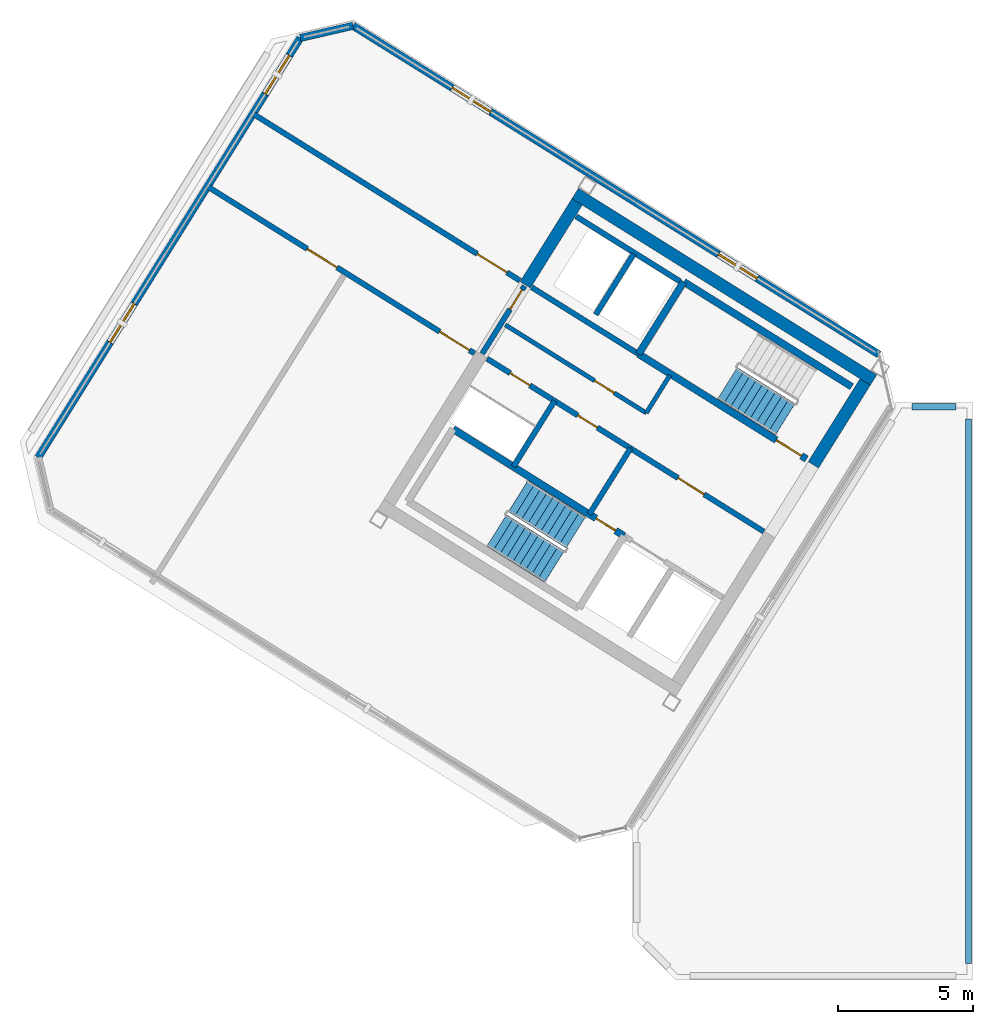
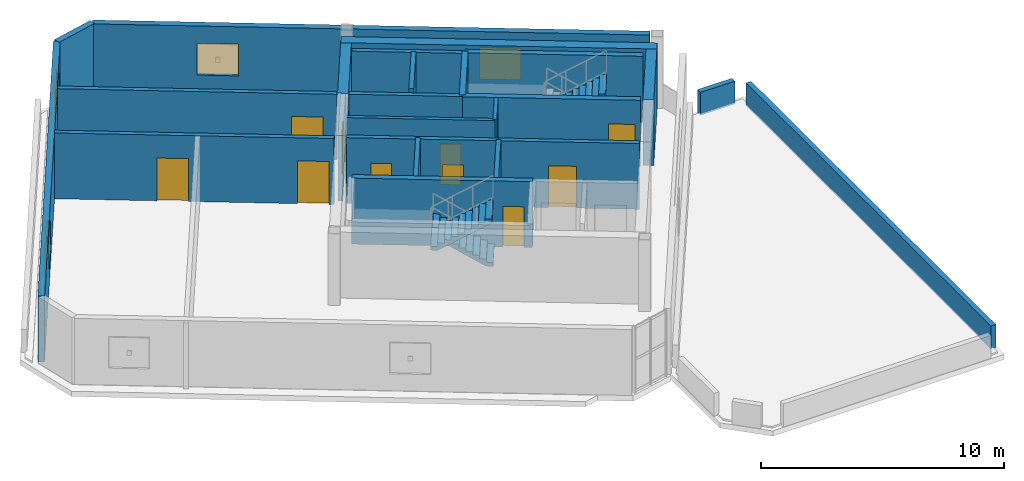
# One storey, part 4 of 8: 24 walls, 10 doors, 4 windows, 3 stair flights, 14 openings, 2 elements without a shape of their own.
"""IFC4 building model written with IfcOpenShell, lengths in metres."""

from ifc_helpers import new_model, si_unit, direction, frame, frame_2d, origin, place, context, subcontext, project, spatial, polyline, rectangle, outline, extrude, source, transform, mapped, material, layer, layer_set, type_object, element, fill, aggregate, save


model = new_model("IFC4")

# Units and contexts
model_context = context("Model", 3, precision=1e-05, world=origin(), true_north=direction((0.0, 1.0)))
body_context = subcontext(model_context, "Body", "Model", "MODEL_VIEW")
ifc_project = project(units=[si_unit("LENGTHUNIT", "METRE"), si_unit("AREAUNIT", "SQUARE_METRE"), si_unit("VOLUMEUNIT", "CUBIC_METRE"), si_unit("PLANEANGLEUNIT", "RADIAN"), si_unit("MASSUNIT", "GRAM", prefix="KILO")], contexts=[model_context])

# Site, building, storey
site_placement = place(None, origin())
site = spatial("IfcSite", under=ifc_project, at=site_placement, CompositionType="ELEMENT")
building_placement = place(site_placement, origin())
building = spatial("IfcBuilding", under=site, at=building_placement, Name="Tlacorven Tower", CompositionType="ELEMENT")
storey_placement = place(building_placement, frame((0.0, 0.0, 298.800048828125)))
storey = spatial("IfcBuildingStorey", under=building, at=storey_placement, Name="L76", CompositionType="ELEMENT", Elevation=298.800048828125)

# Walls
ifc_material_1 = material(Name="Concrete C50/60", Category="concrete")
ifc_layer_1 = layer(ifc_material_1, 0.449951171875)
ifc_layer_set_1 = layer_set([ifc_layer_1], Name="Concrete C50/60")
wall_type_1 = type_object("IfcWallType", Name="WL-COR-450", PredefinedType="SHEAR", material=ifc_layer_set_1)
wall_1_placement = place(storey_placement, frame((40.53076171875, 24.036376953125, 0.0), z_axis=(0.0, 0.0, 1.0), x_axis=(-0.848048787466, 0.529918157905, 0.0)))
element("IfcWall", 1, at=wall_1_placement, inside=storey, type_object=wall_type_1, Name="L76 W core shear wall S1", PredefinedType="SHEAR", context=body_context, shape_type="SweptSolid", body=[
    extrude(rectangle(XDim=13.0400390625, YDim=0.449951171875, at=frame_2d((6.52001953125, 0.0))), origin(), (0.0, 0.0, 1.0), 3.320068359375),
])
for number, where, z_axis, x_axis, name in (
    (2, (40.220703125, 23.96484375, 0.0), (0.0, 0.0, 1.0), (-0.529902075036, -0.848058836916, 0.0), "L76 W core end wall E1.1"),
    (3, (29.543701171875, 30.636474609375, 0.0), (0.0, 0.0, 1.0), (-0.529902075036, -0.848058836916, 0.0), "L76 W core end wall E2.1"),
):
    element("IfcWall", number, at=place(storey_placement, frame(where, z_axis=z_axis, x_axis=x_axis)), inside=storey, type_object=wall_type_1, Name=name, PredefinedType="SHEAR", context=body_context, shape_type="SweptSolid", body=[
        extrude(rectangle(XDim=3.625, YDim=0.449951171875, at=frame_2d((1.8125, 0.0))), origin(), (0.0, 0.0, 1.0), 3.320068359375),
    ])

# Wall, opening, door
ifc_material_2 = material(Name="Gypsum plasterboard acoustic partition", Category="gypsum")
ifc_layer_2 = layer(ifc_material_2, 0.159912109375)
ifc_layer_set_2 = layer_set([ifc_layer_2], Name="Gypsum plasterboard acoustic partition")
wall_type_2 = type_object("IfcWallType", Name="WL-DEM-160", PredefinedType="PARTITIONING", material=ifc_layer_set_2)
wall_2_placement = place(storey_placement, frame((32.108154296875, 22.81396484375, 0.0), z_axis=(0.0, 0.0, 1.0), x_axis=(-0.848047283855, 0.529920564185, 0.0)))
wall_2 = element("IfcWall", 4, at=wall_2_placement, inside=storey, type_object=wall_type_2, Name="L76 partition 11", PredefinedType="PARTITIONING", context=body_context, shape_type="SweptSolid", body=[
    extrude(rectangle(XDim=6.16015625, YDim=0.159912109375, at=frame_2d((3.080078125, 0.0))), origin(), (0.0, 0.0, 1.0), 3.31005859375),
])
opening_1_placement = place(wall_2_placement, frame((1.39990234375, 0.0, 0.0)))
opening_1 = element("IfcOpeningElement", 5, at=opening_1_placement, cuts=wall_2, Name="Opening D19", PredefinedType="OPENING", context=body_context, shape_type="SweptSolid", body=[
    extrude(rectangle(XDim=0.860107421875, YDim=2.050048828125, at=frame_2d((0.43017578125, 1.02490234375))), frame((0.0, 0.08984375, 0.0), z_axis=(0.0, -1.0, 0.0), x_axis=(1.0, 0.0, 0.0)), (0.0, 0.0, 1.0), 0.179931640625),
])
ifc_material_3 = material(Name="Fire-rated steel door assembly", Category="steel")
door_type_1 = type_object("IfcDoorType", Name="DR-RSR-FD60-0860", OperationType="NOTDEFINED", PredefinedType="DOOR", material=ifc_material_3)
shared_shape_1 = source(origin(), body_context, "Body", "SweptSolid", [
    extrude(rectangle(XDim=0.860107421875, YDim=2.050048828125, at=frame_2d((0.43017578125, 1.02490234375))), frame((0.0, 0.02490234375, 0.0), z_axis=(0.0, -1.0, 0.0), x_axis=(1.0, 0.0, 0.0)), (0.0, 0.0, 1.0), 0.050048828125),
])
door_1_placement = place(opening_1_placement, origin())
door_1 = element("IfcDoor", 6, at=door_1_placement, inside=storey, type_object=door_type_1, Name="L76 Freed Core Store Door", OperationType="SINGLE_SWING_LEFT", OverallHeight=2.050048828125, OverallWidth=0.860107421875, PredefinedType="DOOR", context=body_context, shape_type="MappedRepresentation", body=[
    mapped(shared_shape_1, transform((0.0, 0.0, 0.0), scale=1.0)),
])
fill(opening_1, door_1)

# Wall
wall_3_placement = place(storey_placement, frame((32.982421875, 24.21337890625, 0.0), z_axis=(0.0, 0.0, 1.0), x_axis=(-0.529839334948, -0.84809803628, 0.0)))
element("IfcWall", 7, at=wall_3_placement, inside=storey, type_object=wall_type_2, Name="L76 partition 12", PredefinedType="PARTITIONING", context=body_context, shape_type="SweptSolid", body=[
    extrude(rectangle(XDim=1.650146484375, YDim=0.159912109375, at=frame_2d((0.8251953125, 0.0))), origin(), (0.0, 0.0, 1.0), 3.31005859375),
])

# Wall, openings, windows
ifc_material_4 = material(Name="Precast concrete C45/55", Category="concrete")
ifc_layer_3 = layer(ifc_material_4, 0.280029296875)
ifc_layer_set_3 = layer_set([ifc_layer_3], Name="Precast concrete C45/55")
wall_type_3 = type_object("IfcWallType", Name="WL-EXT-280", PredefinedType="STANDARD", material=ifc_layer_set_3)
wall_4_placement = place(storey_placement, frame((9.569580078125, 21.1650390625, 0.0), z_axis=(0.0, 0.0, 1.0), x_axis=(0.529921134822, 0.84804692728, 0.0)))
wall_4 = element("IfcWall", 8, at=wall_4_placement, inside=storey, type_object=wall_type_3, Name="L76 Masonry-Frame Recessed Facade Wall 4", PredefinedType="STANDARD", context=body_context, shape_type="SweptSolid", body=[
    extrude(rectangle(XDim=18.333984375, YDim=0.280029296875, at=frame_2d((9.1669921875, 0.0))), origin(), (0.0, 0.0, 1.0), 3.320068359375),
])
opening_2_placement = place(wall_4_placement, frame((5.02099609375, 0.0, 0.85009765625)))
opening_2 = element("IfcOpeningElement", 9, at=opening_2_placement, cuts=wall_4, Name="Opening WN19", PredefinedType="OPENING", context=body_context, shape_type="SweptSolid", body=[
    extrude(rectangle(XDim=1.699951171875, YDim=1.60009765625, at=frame_2d((0.85009765625, 0.800048828125))), frame((0.0, 0.14990234375, 0.0), z_axis=(0.0, -1.0, 0.0), x_axis=(1.0, 0.0, 0.0)), (0.0, 0.0, 1.0), 0.300048828125),
])
opening_3_placement = place(wall_4_placement, frame((15.8779296875, 0.0, 0.85009765625)))
opening_3 = element("IfcOpeningElement", 10, at=opening_3_placement, cuts=wall_4, Name="Opening WN19", PredefinedType="OPENING", context=body_context, shape_type="SweptSolid", body=[
    extrude(rectangle(XDim=1.699951171875, YDim=1.60009765625, at=frame_2d((0.85009765625, 0.800048828125))), frame((0.0, 0.14990234375, 0.0), z_axis=(0.0, -1.0, 0.0), x_axis=(1.0, 0.0, 0.0)), (0.0, 0.0, 1.0), 0.300048828125),
])
ifc_material_5 = material(Name="Dark solar low-E double glazing in anodised aluminium frame", Category="aluminium")
window_type = type_object("IfcWindowType", Name="WN-CRN-1700X1800", PartitioningType="SINGLE_PANEL", PredefinedType="WINDOW", material=ifc_material_5)
shared_shape_2 = source(origin(), body_context, "Body", "SweptSolid", [
    extrude(rectangle(XDim=1.699951171875, YDim=1.60009765625, at=frame_2d((0.85009765625, 0.800048828125))), frame((0.0, 0.030029296875, 0.0), z_axis=(0.0, -1.0, 0.0), x_axis=(1.0, 0.0, 0.0)), (0.0, 0.0, 1.0), 0.06005859375),
])
window_1_placement = place(opening_2_placement, origin())
window_1 = element("IfcWindow", 11, at=window_1_placement, inside=storey, type_object=window_type, Name="L76 Acoustic Plant Facade Window 4.1", OverallHeight=1.60009765625, OverallWidth=1.699951171875, PartitioningType="SINGLE_PANEL", PredefinedType="WINDOW", context=body_context, shape_type="MappedRepresentation", body=[
    mapped(shared_shape_2, transform((0.0, 0.0, 0.0), scale=1.0)),
])
fill(opening_2, window_1)
window_2_placement = place(opening_3_placement, origin())
window_2 = element("IfcWindow", 12, at=window_2_placement, inside=storey, type_object=window_type, Name="L76 Acoustic Plant Facade Window 4.2", OverallHeight=1.60009765625, OverallWidth=1.699951171875, PartitioningType="SINGLE_PANEL", PredefinedType="WINDOW", context=body_context, shape_type="MappedRepresentation", body=[
    mapped(shared_shape_2, transform((0.0, 0.0, 0.0), scale=1.0)),
])
fill(opening_3, window_2)

# Wall
wall_5_placement = place(storey_placement, frame((19.28515625, 36.713134765625, 0.0), z_axis=(0.0, 0.0, 1.0), x_axis=(0.974360407225, 0.224992881738, 0.0)))
element("IfcWall", 13, at=wall_5_placement, inside=storey, type_object=wall_type_3, Name="L76 Masonry-Frame Recessed Facade Wall 5", PredefinedType="STANDARD", context=body_context, shape_type="SweptSolid", body=[
    extrude(rectangle(XDim=2.00537109375, YDim=0.280029296875, at=frame_2d((1.002685546875, 0.0))), origin(), (0.0, 0.0, 1.0), 3.320068359375),
])

# Wall, openings, windows
wall_6_placement = place(storey_placement, frame((21.239013671875, 37.164306640625, 0.0), z_axis=(0.0, 0.0, 1.0), x_axis=(0.848046637573, -0.529921598447, 0.0)))
wall_6 = element("IfcWall", 14, at=wall_6_placement, inside=storey, type_object=wall_type_3, Name="L76 Masonry-Frame Recessed Facade Wall 6", PredefinedType="STANDARD", context=body_context, shape_type="SweptSolid", body=[
    extrude(rectangle(XDim=22.98388671875, YDim=0.280029296875, at=frame_2d((11.491943359375, 0.0))), origin(), (0.0, 0.0, 1.0), 3.320068359375),
])
opening_4_placement = place(wall_6_placement, frame((4.325927734375, 0.0, 0.85009765625)))
opening_4 = element("IfcOpeningElement", 15, at=opening_4_placement, cuts=wall_6, Name="Opening WN19", PredefinedType="OPENING", context=body_context, shape_type="SweptSolid", body=[
    extrude(rectangle(XDim=1.699951171875, YDim=1.60009765625, at=frame_2d((0.85009765625, 0.800048828125))), frame((0.0, 0.14990234375, 0.0), z_axis=(0.0, -1.0, 0.0), x_axis=(1.0, 0.0, 0.0)), (0.0, 0.0, 1.0), 0.300048828125),
])
opening_5_placement = place(wall_6_placement, frame((15.968017578125, 0.0, 0.85009765625)))
opening_5 = element("IfcOpeningElement", 16, at=opening_5_placement, cuts=wall_6, Name="Opening WN19", PredefinedType="OPENING", context=body_context, shape_type="SweptSolid", body=[
    extrude(rectangle(XDim=1.699951171875, YDim=1.60009765625, at=frame_2d((0.85009765625, 0.800048828125))), frame((0.0, 0.14990234375, 0.0), z_axis=(0.0, -1.0, 0.0), x_axis=(1.0, 0.0, 0.0)), (0.0, 0.0, 1.0), 0.300048828125),
])
window_3_placement = place(opening_4_placement, origin())
window_3 = element("IfcWindow", 17, at=window_3_placement, inside=storey, type_object=window_type, Name="L76 Acoustic Plant Facade Window 6.1", OverallHeight=1.60009765625, OverallWidth=1.699951171875, PartitioningType="SINGLE_PANEL", PredefinedType="WINDOW", context=body_context, shape_type="MappedRepresentation", body=[
    mapped(shared_shape_2, transform((0.0, 0.0, 0.0), scale=1.0)),
])
fill(opening_4, window_3)
window_4_placement = place(opening_5_placement, origin())
window_4 = element("IfcWindow", 18, at=window_4_placement, inside=storey, type_object=window_type, Name="L76 Acoustic Plant Facade Window 6.2", OverallHeight=1.60009765625, OverallWidth=1.699951171875, PartitioningType="SINGLE_PANEL", PredefinedType="WINDOW", context=body_context, shape_type="MappedRepresentation", body=[
    mapped(shared_shape_2, transform((0.0, 0.0, 0.0), scale=1.0)),
])
fill(opening_5, window_4)

# Walls
ifc_layer_4 = layer(ifc_material_4, 0.239990234375)
ifc_layer_set_4 = layer_set([ifc_layer_4], Name="Precast concrete C45/55")
wall_type_4 = type_object("IfcWallType", Name="WL-PAR-240", PredefinedType="PARAPET", material=ifc_layer_set_4)
wall_7_placement = place(storey_placement, frame((41.955322265625, 23.050048828125, 0.0), z_axis=(0.0, 0.0, 1.0), x_axis=(1.0, 0.0, 0.0)))
element("IfcWall", 19, at=wall_7_placement, inside=storey, type_object=wall_type_4, Name="L76 Stepped Crown Terrace Parapet 1 5", PredefinedType="PARAPET", context=body_context, shape_type="SweptSolid", body=[
    extrude(rectangle(XDim=1.634765625, YDim=0.239990234375, at=frame_2d((0.8173828125, 0.0))), origin(), (0.0, 0.0, 1.0), 1.14990234375),
])
wall_8_placement = place(storey_placement, frame((44.050048828125, 22.590087890625, 0.0), z_axis=(0.0, 0.0, 1.0), x_axis=(0.0, -1.0, 0.0)))
element("IfcWall", 20, at=wall_8_placement, inside=storey, type_object=wall_type_4, Name="L76 Stepped Crown Terrace Parapet 1 6", PredefinedType="PARAPET", context=body_context, shape_type="SweptSolid", body=[
    extrude(rectangle(XDim=20.18017578125, YDim=0.239990234375, at=frame_2d((10.090087890625, 0.0))), origin(), (0.0, 0.0, 1.0), 1.14990234375),
])

# Wall, opening, door
ifc_material_6 = material(Name="Concrete C40/50", Category="concrete")
ifc_layer_5 = layer(ifc_material_6, 0.199951171875)
ifc_layer_set_5 = layer_set([ifc_layer_5], Name="Concrete C40/50")
wall_type_5 = type_object("IfcWallType", Name="WL-SHF-200", PredefinedType="STANDARD", material=ifc_layer_set_5)
wall_9_placement = place(storey_placement, frame((36.459228515625, 18.420654296875, 0.0), z_axis=(0.0, 0.0, 1.0), x_axis=(-0.848059591691, 0.529900867089, 0.0)))
wall_9 = element("IfcWall", 21, at=wall_9_placement, inside=storey, type_object=wall_type_5, Name="L76 Core W Smoke Lobby Wall", PredefinedType="STANDARD", context=body_context, shape_type="SweptSolid", body=[
    extrude(rectangle(XDim=5.818115234375, YDim=0.199951171875, at=frame_2d((2.9091796875, 0.0))), origin(), (0.0, 0.0, 1.0), 3.31005859375),
])
opening_6_placement = place(wall_9_placement, frame((2.597900390625, 0.0, 0.0)))
opening_6 = element("IfcOpeningElement", 22, at=opening_6_placement, cuts=wall_9, Name="Opening D09", PredefinedType="OPENING", context=body_context, shape_type="SweptSolid", body=[
    extrude(rectangle(XDim=1.14990234375, YDim=2.10009765625, at=frame_2d((0.574951171875, 1.050048828125))), frame((0.0, 0.10986328125, 0.0), z_axis=(0.0, -1.0, 0.0), x_axis=(1.0, 0.0, 0.0)), (0.0, 0.0, 1.0), 0.219970703125),
])
door_type_2 = type_object("IfcDoorType", Name="DR-FFL-FD60-1150", OperationType="NOTDEFINED", PredefinedType="DOOR", material=ifc_material_3)
shared_shape_3 = source(origin(), body_context, "Body", "SweptSolid", [
    extrude(rectangle(XDim=1.14990234375, YDim=2.10009765625, at=frame_2d((0.574951171875, 1.050048828125))), frame((0.0, 0.02490234375, 0.0), z_axis=(0.0, -1.0, 0.0), x_axis=(1.0, 0.0, 0.0)), (0.0, 0.0, 1.0), 0.050048828125),
])
door_2_placement = place(opening_6_placement, origin())
door_2 = element("IfcDoor", 23, at=door_2_placement, inside=storey, type_object=door_type_2, Name="L76 Firefighting Lobby W Fire Door", OperationType="SINGLE_SWING_LEFT", OverallHeight=2.10009765625, OverallWidth=1.14990234375, PredefinedType="DOOR", context=body_context, shape_type="MappedRepresentation", body=[
    mapped(shared_shape_3, transform((0.0, 0.0, 0.0), scale=1.0)),
])
fill(opening_6, door_2)

# Walls
wall_10_placement = place(storey_placement, frame((31.82177734375, 24.99755859375, 0.0), z_axis=(0.0, 0.0, 1.0), x_axis=(-0.848054125777, 0.529909614701, 0.0)))
element("IfcWall", 24, at=wall_10_placement, inside=storey, type_object=wall_type_5, Name="L76 Core W South Lift Shaft Wall", PredefinedType="STANDARD", context=body_context, shape_type="SweptSolid", body=[
    extrude(rectangle(XDim=4.66796875, YDim=0.199951171875, at=frame_2d((2.333984375, 0.0))), origin(), (0.0, 0.0, 1.0), 3.31005859375),
])
wall_11_placement = place(storey_placement, frame((31.645263671875, 28.716064453125, 0.0), z_axis=(0.0, 0.0, 1.0), x_axis=(-0.52986693015, -0.848080795876, 0.0)))
element("IfcWall", 25, at=wall_11_placement, inside=storey, type_object=wall_type_5, Name="L76 partition 14", PredefinedType="STANDARD", context=body_context, shape_type="SweptSolid", body=[
    extrude(rectangle(XDim=2.659912109375, YDim=0.199951171875, at=frame_2d((1.330078125, 0.0))), origin(), (0.0, 0.0, 1.0), 3.31005859375),
])
wall_12_placement = place(storey_placement, frame((33.362548828125, 27.690185546875, 0.0), z_axis=(0.0, 0.0, 1.0), x_axis=(-0.84804957148, 0.529916903215, 0.0)))
element("IfcWall", 26, at=wall_12_placement, inside=storey, type_object=wall_type_5, Name="L76 partition 16", PredefinedType="STANDARD", context=body_context, shape_type="SweptSolid", body=[
    extrude(rectangle(XDim=4.547607421875, YDim=0.199951171875, at=frame_2d((2.27392578125, 0.0))), origin(), (0.0, 0.0, 1.0), 3.31005859375),
])
for number, where, z_axis, x_axis, name in (
    (27, (31.525146484375, 21.503662109375, 0.0), (0.0, 0.0, 1.0), (-0.529907497854, -0.848055448493, 0.0), "L76 partition 17"),
    (28, (28.709716796875, 23.26318359375, 0.0), (0.0, 0.0, 1.0), (-0.529907497854, -0.848055448493, 0.0), "L76 partition 18"),
):
    element("IfcWall", number, at=place(storey_placement, frame(where, z_axis=z_axis, x_axis=x_axis)), inside=storey, type_object=wall_type_5, Name=name, PredefinedType="STANDARD", context=body_context, shape_type="SweptSolid", body=[
        extrude(rectangle(XDim=2.8798828125, YDim=0.199951171875, at=frame_2d((1.43994140625, 0.0))), origin(), (0.0, 0.0, 1.0), 3.31005859375),
    ])

# Wall, openings, doors
wall_13_placement = place(storey_placement, frame((31.525146484375, 21.503662109375, 0.0), z_axis=(0.0, 0.0, 1.0), x_axis=(-0.848042066329, 0.529928913853, 0.0)))
wall_13 = element("IfcWall", 29, at=wall_13_placement, inside=storey, type_object=wall_type_5, Name="L76 Core W North Service Wall", PredefinedType="STANDARD", context=body_context, shape_type="SweptSolid", body=[
    extrude(rectangle(XDim=6.267822265625, YDim=0.199951171875, at=frame_2d((3.1337890625, 0.0))), origin(), (0.0, 0.0, 1.0), 3.31005859375),
])
opening_7_placement = place(wall_13_placement, frame((4.39990234375, 0.0, 0.0)))
opening_7 = element("IfcOpeningElement", 30, at=opening_7_placement, cuts=wall_13, Name="Opening D19", PredefinedType="OPENING", context=body_context, shape_type="SweptSolid", body=[
    extrude(rectangle(XDim=0.860107421875, YDim=2.050048828125, at=frame_2d((0.43017578125, 1.02490234375))), frame((0.0, 0.10986328125, 0.0), z_axis=(0.0, -1.0, 0.0), x_axis=(1.0, 0.0, 0.0)), (0.0, 0.0, 1.0), 0.219970703125),
])
opening_8_placement = place(wall_13_placement, frame((1.449951171875, 0.0, 0.0)))
opening_8 = element("IfcOpeningElement", 31, at=opening_8_placement, cuts=wall_13, Name="Opening D19", PredefinedType="OPENING", context=body_context, shape_type="SweptSolid", body=[
    extrude(rectangle(XDim=0.860107421875, YDim=2.050048828125, at=frame_2d((0.43017578125, 1.02490234375))), frame((0.0, 0.10986328125, 0.0), z_axis=(0.0, -1.0, 0.0), x_axis=(1.0, 0.0, 0.0)), (0.0, 0.0, 1.0), 0.219970703125),
])
door_3_placement = place(opening_7_placement, frame((0.860107421875, 0.0, 0.0), z_axis=(0.0, 0.0, 1.0), x_axis=(-1.0, 0.0, 0.0)))
door_3 = element("IfcDoor", 32, at=door_3_placement, inside=storey, type_object=door_type_1, Name="L76 Electrical Riser Access Door W", OperationType="SINGLE_SWING_RIGHT", OverallHeight=2.050048828125, OverallWidth=0.860107421875, PredefinedType="DOOR", context=body_context, shape_type="MappedRepresentation", body=[
    mapped(shared_shape_1, transform((0.0, 0.0, 0.0), scale=1.0)),
])
fill(opening_7, door_3)
door_4_placement = place(opening_8_placement, frame((0.860107421875, 0.0, 0.0), z_axis=(0.0, 0.0, 1.0), x_axis=(-1.0, 0.0, 0.0)))
door_4 = element("IfcDoor", 33, at=door_4_placement, inside=storey, type_object=door_type_1, Name="L76 Housekeeping Linen Access Door W", OperationType="SINGLE_SWING_LEFT", OverallHeight=2.050048828125, OverallWidth=0.860107421875, PredefinedType="DOOR", context=body_context, shape_type="MappedRepresentation", body=[
    mapped(shared_shape_1, transform((0.0, 0.0, 0.0), scale=1.0)),
])
fill(opening_8, door_4)

# Wall, opening, door
wall_14_placement = place(storey_placement, frame((27.59619140625, 27.52001953125, 0.0), z_axis=(0.0, 0.0, 1.0), x_axis=(-0.529865479138, -0.848081702443, 0.0)))
wall_14 = element("IfcWall", 34, at=wall_14_placement, inside=storey, type_object=wall_type_5, Name="L76 partition 20", PredefinedType="STANDARD", context=body_context, shape_type="SweptSolid", body=[
    extrude(rectangle(XDim=2.9599609375, YDim=0.199951171875, at=frame_2d((1.47998046875, 0.0))), origin(), (0.0, 0.0, 1.0), 3.31005859375),
])
opening_9_placement = place(wall_14_placement, frame((0.159912109375, 0.0, 0.0)))
opening_9 = element("IfcOpeningElement", 35, at=opening_9_placement, cuts=wall_14, Name="Opening D19", PredefinedType="OPENING", context=body_context, shape_type="SweptSolid", body=[
    extrude(rectangle(XDim=0.860107421875, YDim=2.050048828125, at=frame_2d((0.43017578125, 1.02490234375))), frame((0.0, 0.10986328125, 0.0), z_axis=(0.0, -1.0, 0.0), x_axis=(1.0, 0.0, 0.0)), (0.0, 0.0, 1.0), 0.219970703125),
])
door_5_placement = place(opening_9_placement, origin())
door_5 = element("IfcDoor", 36, at=door_5_placement, inside=storey, type_object=door_type_1, Name="L76 door 009", OperationType="SINGLE_SWING_LEFT", OverallHeight=2.050048828125, OverallWidth=0.860107421875, PredefinedType="DOOR", context=body_context, shape_type="MappedRepresentation", body=[
    mapped(shared_shape_1, transform((0.0, 0.0, 0.0), scale=1.0)),
])
fill(opening_9, door_5)

# Wall, openings, doors
wall_15_placement = place(storey_placement, frame((25.73974609375, 25.024658203125, 0.0), z_axis=(0.0, 0.0, 1.0), x_axis=(-0.848049978884, 0.529916251227, 0.0)))
wall_15 = element("IfcWall", 37, at=wall_15_placement, inside=storey, type_object=wall_type_5, Name="L76 partition 21", PredefinedType="STANDARD", context=body_context, shape_type="SweptSolid", body=[
    extrude(rectangle(XDim=11.677734375, YDim=0.199951171875, at=frame_2d((5.8388671875, 0.0))), origin(), (0.0, 0.0, 1.0), 3.31005859375),
])
opening_10_placement = place(wall_15_placement, frame((0.218017578125, 0.0, 0.0)))
opening_10 = element("IfcOpeningElement", 38, at=opening_10_placement, cuts=wall_15, Name="Opening D18", PredefinedType="OPENING", context=body_context, shape_type="SweptSolid", body=[
    extrude(rectangle(XDim=1.300048828125, YDim=2.14990234375, at=frame_2d((0.64990234375, 1.074951171875))), frame((0.0, 0.10986328125, 0.0), z_axis=(0.0, -1.0, 0.0), x_axis=(1.0, 0.0, 0.0)), (0.0, 0.0, 1.0), 0.219970703125),
])
opening_11_placement = place(wall_15_placement, frame((6.0029296875, 0.0, 0.0)))
opening_11 = element("IfcOpeningElement", 39, at=opening_11_placement, cuts=wall_15, Name="Opening D18", PredefinedType="OPENING", context=body_context, shape_type="SweptSolid", body=[
    extrude(rectangle(XDim=1.300048828125, YDim=2.14990234375, at=frame_2d((0.64990234375, 1.074951171875))), frame((0.0, 0.10986328125, 0.0), z_axis=(0.0, -1.0, 0.0), x_axis=(1.0, 0.0, 0.0)), (0.0, 0.0, 1.0), 0.219970703125),
])
door_type_3 = type_object("IfcDoorType", Name="DR-MEP-FD60-1300", OperationType="DOUBLE_DOOR_SINGLE_SWING", PredefinedType="DOOR", material=ifc_material_3)
shared_shape_4 = source(origin(), body_context, "Body", "SweptSolid", [
    extrude(rectangle(XDim=1.300048828125, YDim=2.14990234375, at=frame_2d((0.64990234375, 1.074951171875))), frame((0.0, 0.02490234375, 0.0), z_axis=(0.0, -1.0, 0.0), x_axis=(1.0, 0.0, 0.0)), (0.0, 0.0, 1.0), 0.050048828125),
])
door_6_placement = place(opening_10_placement, origin())
door_6 = element("IfcDoor", 40, at=door_6_placement, inside=storey, type_object=door_type_3, Name="L76 door 010", OperationType="DOUBLE_DOOR_SINGLE_SWING", OverallHeight=2.14990234375, OverallWidth=1.300048828125, PredefinedType="DOOR", context=body_context, shape_type="MappedRepresentation", body=[
    mapped(shared_shape_4, transform((0.0, 0.0, 0.0), scale=1.0)),
])
fill(opening_10, door_6)
door_7_placement = place(opening_11_placement, origin())
door_7 = element("IfcDoor", 41, at=door_7_placement, inside=storey, type_object=door_type_3, Name="L76 door 011", OperationType="DOUBLE_DOOR_SINGLE_SWING", OverallHeight=2.14990234375, OverallWidth=1.300048828125, PredefinedType="DOOR", context=body_context, shape_type="MappedRepresentation", body=[
    mapped(shared_shape_4, transform((0.0, 0.0, 0.0), scale=1.0)),
])
fill(opening_11, door_7)

# Wall, opening, door
wall_16_placement = place(storey_placement, frame((27.425048828125, 27.721435546875, 0.0), z_axis=(0.0, 0.0, 1.0), x_axis=(-0.848055849499, 0.529906856089, 0.0)))
wall_16 = element("IfcWall", 42, at=wall_16_placement, inside=storey, type_object=wall_type_5, Name="L76 partition 23", PredefinedType="STANDARD", context=body_context, shape_type="SweptSolid", body=[
    extrude(rectangle(XDim=11.677978515625, YDim=0.199951171875, at=frame_2d((5.8388671875, 0.0))), origin(), (0.0, 0.0, 1.0), 3.31005859375),
])
opening_12_placement = place(wall_16_placement, frame((0.568115234375, 0.0, 0.0)))
opening_12 = element("IfcOpeningElement", 43, at=opening_12_placement, cuts=wall_16, Name="Opening D18", PredefinedType="OPENING", context=body_context, shape_type="SweptSolid", body=[
    extrude(rectangle(XDim=1.300048828125, YDim=2.14990234375, at=frame_2d((0.64990234375, 1.074951171875))), frame((0.0, 0.10986328125, 0.0), z_axis=(0.0, -1.0, 0.0), x_axis=(1.0, 0.0, 0.0)), (0.0, 0.0, 1.0), 0.219970703125),
])
door_8_placement = place(opening_12_placement, frame((1.300048828125, 0.0, 0.0), z_axis=(0.0, 0.0, 1.0), x_axis=(-1.0, 0.0, 0.0)))
door_8 = element("IfcDoor", 44, at=door_8_placement, inside=storey, type_object=door_type_3, Name="L76 door 012", OperationType="DOUBLE_DOOR_SINGLE_SWING", OverallHeight=2.14990234375, OverallWidth=1.300048828125, PredefinedType="DOOR", context=body_context, shape_type="MappedRepresentation", body=[
    mapped(shared_shape_4, transform((0.0, 0.0, 0.0), scale=1.0)),
])
fill(opening_12, door_8)

ifc_layer_6 = layer(ifc_material_1, 0.260009765625)
ifc_layer_set_6 = layer_set([ifc_layer_6], Name="Concrete C50/60")
wall_type_6 = type_object("IfcWallType", Name="WL-STW-260", PredefinedType="SHEAR", material=ifc_layer_set_6)
wall_17_placement = place(storey_placement, frame((31.279541015625, 18.26123046875, 0.0), z_axis=(0.0, 0.0, 1.0), x_axis=(-0.848051618787, 0.529913626805, 0.0)))
wall_17 = element("IfcWall", 45, at=wall_17_placement, inside=storey, type_object=wall_type_6, Name="L76 Stair W1 Lobby Shear Wall", PredefinedType="SHEAR", context=body_context, shape_type="SweptSolid", body=[
    extrude(rectangle(XDim=7.4599609375, YDim=0.260009765625, at=frame_2d((3.72998046875, 0.0))), origin(), (0.0, 0.0, 1.0), 3.320068359375),
])
opening_13_placement = place(wall_17_placement, frame((0.360107421875, 0.0, 0.0)))
opening_13 = element("IfcOpeningElement", 46, at=opening_13_placement, cuts=wall_17, Name="Opening D19", PredefinedType="OPENING", context=body_context, shape_type="SweptSolid", body=[
    extrude(rectangle(XDim=0.860107421875, YDim=2.050048828125, at=frame_2d((0.43017578125, 1.02490234375))), frame((0.0, 0.14013671875, 0.0), z_axis=(0.0, -1.0, 0.0), x_axis=(1.0, 0.0, 0.0)), (0.0, 0.0, 1.0), 0.280029296875),
])
door_9_placement = place(opening_13_placement, frame((0.860107421875, 0.0, 0.0), z_axis=(0.0, 0.0, 1.0), x_axis=(-1.0, 0.0, 0.0)))
door_9 = element("IfcDoor", 47, at=door_9_placement, inside=storey, type_object=door_type_1, Name="L76 Exit Stair W1 Fire Door", OperationType="SINGLE_SWING_LEFT", OverallHeight=2.050048828125, OverallWidth=0.860107421875, PredefinedType="DOOR", context=body_context, shape_type="MappedRepresentation", body=[
    mapped(shared_shape_1, transform((0.0, 0.0, 0.0), scale=1.0)),
])
fill(opening_13, door_9)

# Wall
wall_18_placement = place(storey_placement, frame((39.720947265625, 23.787841796875, 0.0), z_axis=(0.0, 0.0, 1.0), x_axis=(-0.848054434086, 0.529909121291, 0.0)))
element("IfcWall", 48, at=wall_18_placement, inside=storey, type_object=wall_type_6, Name="L76 Stair W2 Far Shear Wall", PredefinedType="SHEAR", context=body_context, shape_type="SweptSolid", body=[
    extrude(rectangle(XDim=7.330078125, YDim=0.260009765625, at=frame_2d((3.6650390625, 0.0))), origin(), (0.0, 0.0, 1.0), 3.320068359375),
])

# Wall, opening, door
wall_19_placement = place(storey_placement, frame((38.04638671875, 21.10791015625, 0.0), z_axis=(0.0, 0.0, 1.0), x_axis=(-0.848054434086, 0.529909121291, 0.0)))
wall_19 = element("IfcWall", 49, at=wall_19_placement, inside=storey, type_object=wall_type_6, Name="L76 Stair W2 Lobby Shear Wall", PredefinedType="SHEAR", context=body_context, shape_type="SweptSolid", body=[
    extrude(rectangle(XDim=7.330078125, YDim=0.260009765625, at=frame_2d((3.6650390625, 0.0))), origin(), (0.0, 0.0, 1.0), 3.320068359375),
])
opening_14_placement = place(wall_19_placement, frame((0.219970703125, 0.0, 0.0)))
opening_14 = element("IfcOpeningElement", 50, at=opening_14_placement, cuts=wall_19, Name="Opening D07", PredefinedType="OPENING", context=body_context, shape_type="SweptSolid", body=[
    extrude(rectangle(XDim=1.10009765625, YDim=2.10009765625, at=frame_2d((0.550048828125, 1.050048828125))), frame((0.0, 0.14013671875, 0.0), z_axis=(0.0, -1.0, 0.0), x_axis=(1.0, 0.0, 0.0)), (0.0, 0.0, 1.0), 0.280029296875),
])
door_type_4 = type_object("IfcDoorType", Name="DR-STR-FD90-1100", OperationType="NOTDEFINED", PredefinedType="DOOR", material=ifc_material_3)
shared_shape_5 = source(origin(), body_context, "Body", "SweptSolid", [
    extrude(rectangle(XDim=1.10009765625, YDim=2.10009765625, at=frame_2d((0.550048828125, 1.050048828125))), frame((0.0, 0.02490234375, 0.0), z_axis=(0.0, -1.0, 0.0), x_axis=(1.0, 0.0, 0.0)), (0.0, 0.0, 1.0), 0.050048828125),
])
door_10_placement = place(opening_14_placement, origin())
door_10 = element("IfcDoor", 51, at=door_10_placement, inside=storey, type_object=door_type_4, Name="L76 Exit Stair W2 Fire Door", OperationType="SINGLE_SWING_RIGHT", OverallHeight=2.10009765625, OverallWidth=1.10009765625, PredefinedType="DOOR", context=body_context, shape_type="MappedRepresentation", body=[
    mapped(shared_shape_5, transform((0.0, 0.0, 0.0), scale=1.0)),
])
fill(opening_14, door_10)

# Wall
wall_20_placement = place(storey_placement, frame((33.496337890625, 27.677490234375, 0.0), z_axis=(0.0, 0.0, 1.0), x_axis=(-0.529908658664, -0.84805472316, 0.0)))
element("IfcWall", 52, at=wall_20_placement, inside=storey, type_object=wall_type_6, Name="L76 Stair W2 East Shear Wall", PredefinedType="SHEAR", context=body_context, shape_type="SweptSolid", body=[
    extrude(rectangle(XDim=3.16015625, YDim=0.260009765625, at=frame_2d((1.580078125, 0.0))), origin(), (0.0, 0.0, 1.0), 3.320068359375),
])

# Stair, stair flights
stair_type = type_object("IfcStairType", Name="ST-CORE-DLG", PredefinedType="HALF_TURN_STAIR", material=ifc_material_6)
stair_1_placement = place(storey_placement, origin())
stair_1 = element("IfcStair", 53, at=stair_1_placement, inside=storey, type_object=stair_type, Name="L76 Protected Exit Stair West 1", PredefinedType="HALF_TURN_STAIR")
stair_flight_type = type_object("IfcStairFlightType", Name="SFL-RC-1380", PredefinedType="STRAIGHT", material=ifc_material_6)
shared_shape_6 = source(origin(), body_context, "Body", "SweptSolid", [
    extrude(outline(polyline([(-0.0029296875, -0.0029296875), (-0.0029296875, 0.179931640625), (0.280029296875, 0.179931640625), (0.280029296875, 0.360107421875), (0.56005859375, 0.360107421875), (0.56005859375, 0.5400390625), (0.840087890625, 0.5400390625), (0.840087890625, 0.719970703125), (1.1201171875, 0.719970703125), (1.1201171875, 0.89990234375), (1.39990234375, 0.89990234375), (1.39990234375, 1.080078125), (1.679931640625, 1.080078125), (1.679931640625, 1.260009765625), (1.9599609375, 1.260009765625), (1.9599609375, 1.43994140625), (2.239990234375, 1.43994140625), (2.239990234375, 1.6201171875), (2.52001953125, 1.6201171875), (2.52001953125, 1.800048828125), (2.52294921875, 1.800048828125), (2.52294921875, 1.429931640625), (2.52001953125, 1.429931640625), (0.295654296875, 0.0), (0.295654296875, -0.0029296875), (-0.0029296875, -0.0029296875)])), frame((0.0, 0.68994140625, 0.0), z_axis=(0.0, -1.0, 0.0), x_axis=(1.0, 0.0, 0.0)), (0.0, 0.0, 1.0), 1.3798828125),
])
stair_flight_1_placement = place(storey_placement, frame((29.499755859375, 18.39453125, 0.0), z_axis=(0.0, 0.0, 1.0), x_axis=(-0.848048096156, 0.529919264233, 0.0)))
stair_flight_1 = element("IfcStairFlight", 54, at=stair_flight_1_placement, type_object=stair_flight_type, Name="ST-W1 flight 1", NumberOfRisers=10, NumberOfTreads=9, PredefinedType="STRAIGHT", RiserHeight=0.18, TreadLength=0.28, context=body_context, shape_type="MappedRepresentation", body=[
    mapped(shared_shape_6, transform((0.0, 0.0, 0.0), scale=1.0)),
])
stair_flight_2_placement = place(storey_placement, frame((26.56787109375, 18.4580078125, 1.800048828125), z_axis=(0.0, 0.0, 1.0), x_axis=(0.848048096156, -0.529919264233, 0.0)))
stair_flight_2 = element("IfcStairFlight", 55, at=stair_flight_2_placement, type_object=stair_flight_type, Name="ST-W1 flight 2", NumberOfRisers=10, NumberOfTreads=9, PredefinedType="STRAIGHT", RiserHeight=0.18, TreadLength=0.28, context=body_context, shape_type="MappedRepresentation", body=[
    mapped(shared_shape_6, transform((0.0, 0.0, 0.0), scale=1.0)),
])
aggregate(stair_1, [stair_flight_1, stair_flight_2])

# Stair, stair flight
stair_2_placement = place(storey_placement, origin())
stair_2 = element("IfcStair", 56, at=stair_2_placement, inside=storey, type_object=stair_type, Name="L76 Protected Exit Stair West 2", PredefinedType="HALF_TURN_STAIR")
stair_flight_3_placement = place(storey_placement, frame((35.119384765625, 23.91552734375, 1.800048828125), z_axis=(0.0, 0.0, 1.0), x_axis=(0.848048096156, -0.529919264233, 0.0)))
stair_flight_3 = element("IfcStairFlight", 57, at=stair_flight_3_placement, type_object=stair_flight_type, Name="ST-W2 flight 2", NumberOfRisers=10, NumberOfTreads=9, PredefinedType="STRAIGHT", RiserHeight=0.18, TreadLength=0.28, context=body_context, shape_type="MappedRepresentation", body=[
    mapped(shared_shape_6, transform((0.0, 0.0, 0.0), scale=1.0)),
])
aggregate(stair_2, [stair_flight_3])

save(model, "model.ifc")
